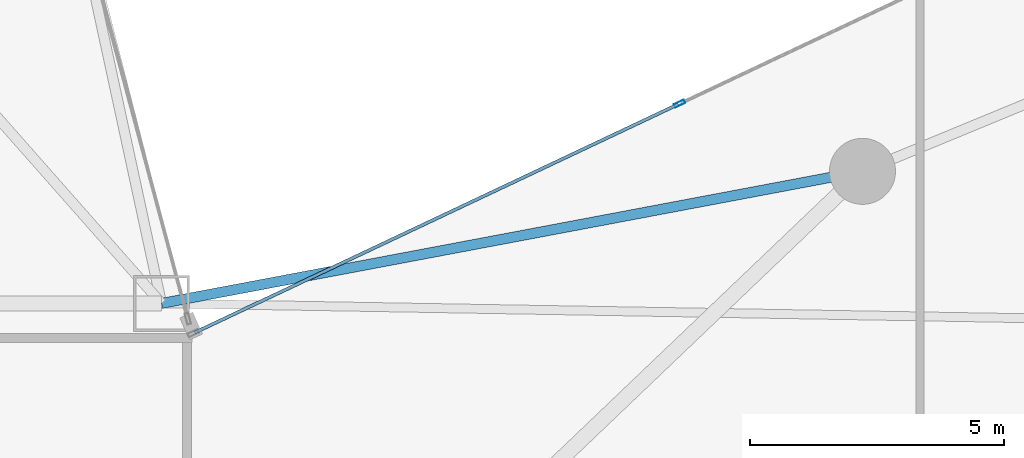
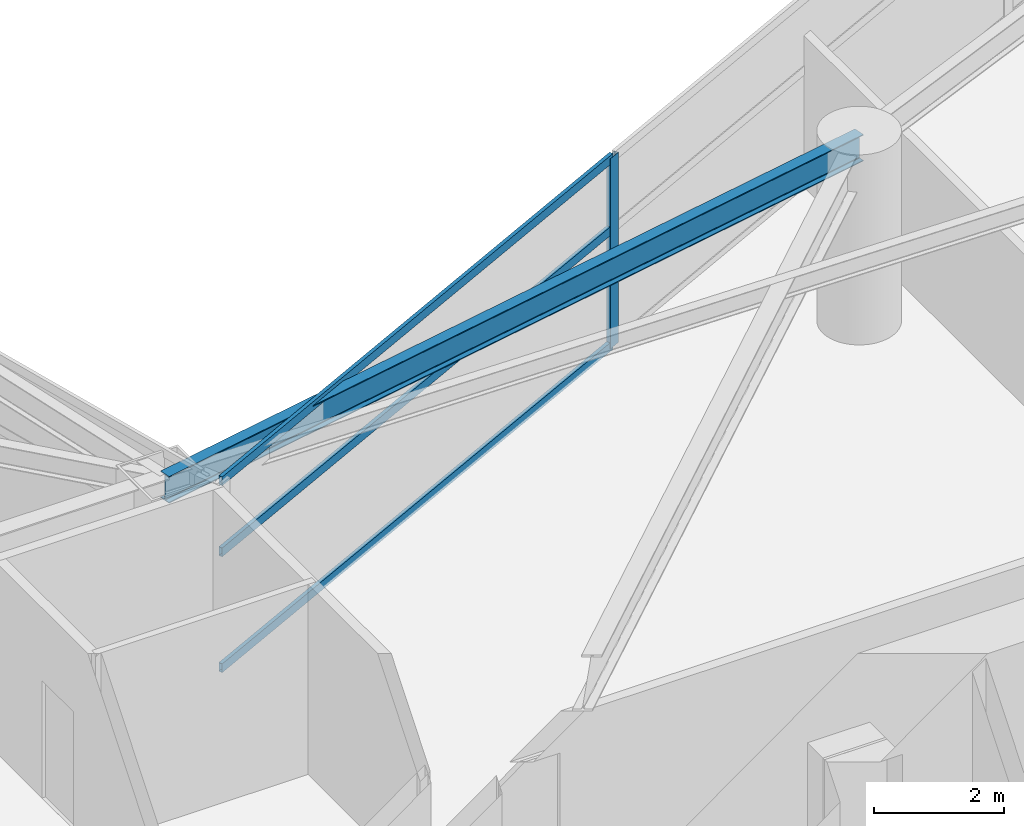
# One storey, part 11 of 29: 4 members, 1 beam, 1 element without a shape of its own.
"""IFC4 building model written with IfcOpenShell, lengths in metres."""

from ifc_helpers import new_model, si_unit, direction, frame, origin, origin_2d, place, context, subcontext, project, spatial, hollow_rectangle, i_section, extrude, material, layer, layer_set, material_profile, profile_set, type_object, element, aggregate, save


model = new_model("IFC4")

# Units and contexts
model_context = context("Model", 3, precision=1e-05, world=origin(), true_north=direction((0.0, 1.0)))
body_context = subcontext(model_context, "Body", "Model", "MODEL_VIEW")
ifc_project = project(units=[si_unit("LENGTHUNIT", "METRE"), si_unit("AREAUNIT", "SQUARE_METRE"), si_unit("VOLUMEUNIT", "CUBIC_METRE"), si_unit("PLANEANGLEUNIT", "RADIAN"), si_unit("MASSUNIT", "GRAM", prefix="KILO")], contexts=[model_context])

# Site, building, storey
site_placement = place(None, origin())
site = spatial("IfcSite", under=ifc_project, at=site_placement, CompositionType="ELEMENT")
building_placement = place(site_placement, origin())
building = spatial("IfcBuilding", under=site, at=building_placement, Name="Calvorn Quay Hotel", CompositionType="ELEMENT")
storey_placement = place(building_placement, frame((0.0, 0.0, 69.800048828125)))
storey = spatial("IfcBuildingStorey", under=building, at=storey_placement, Name="L16", CompositionType="ELEMENT", Elevation=69.800048828125)

# Beam
ifc_material_1 = material(Name="Steel Q355B", Category="steel")
ifc_material_profile_1 = material_profile(ifc_material_1, i_section(OverallWidth=0.199951171875, OverallDepth=0.5, WebThickness=0.010009765625, FlangeThickness=0.01611328125, FilletRadius=0.01611328125, at=origin_2d()), Name="HN500x200x10x16")
ifc_profile_set_1 = profile_set([ifc_material_profile_1], Name="Steel Q355B")
beam_type = type_object("IfcBeamType", Name="BM-SPANDREL-Z1", PredefinedType="SPANDREL", material=ifc_profile_set_1)
beam_placement = place(storey_placement, frame((34.800048828125, 27.60009765625, 3.2900390625), z_axis=(-0.982709432406, -0.185154452988, 0.0), x_axis=(0.185154452988, -0.982709432406, 0.0)))
element("IfcBeam", 1, at=beam_placement, inside=storey, type_object=beam_type, Name="Beam BSP-L16-E5", PredefinedType="SPANDREL", context=body_context, shape_type="SweptSolid", body=[
    extrude(i_section(OverallWidth=0.199951171875, OverallDepth=0.5, WebThickness=0.010009765625, FlangeThickness=0.01611328125, FilletRadius=0.01611328125, at=origin_2d()), origin(), (0.0, 0.0, 1.0), 14.04296875),
])

# Curtain wall, members
ifc_material_2 = material(Name="Pale Anodised Aluminium and Low-E Glass", Category="aluminium")
ifc_layer = layer(ifc_material_2, 0.219970703125)
ifc_layer_set = layer_set([ifc_layer], Name="CW-SYS-Z1")
curtain_wall_type = type_object("IfcCurtainWallType", Name="CW-SYS-Z1", PredefinedType="NOTDEFINED", material=ifc_layer_set)
curtain_wall_placement = place(storey_placement, origin())
curtain_wall = element("IfcCurtainWall", 2, at=curtain_wall_placement, inside=storey, type_object=curtain_wall_type, Name="Inner Court Curtain Wall L16-NE1", PredefinedType="NOTDEFINED")
ifc_material_3 = material(Name="Pale Anodised Aluminium 6063-T6", Category="aluminium")
ifc_material_profile_2 = material_profile(ifc_material_3, hollow_rectangle(XDim=0.074951171875, YDim=0.219970703125, WallThickness=0.00439453125, at=origin_2d()), Name="ALU-M220x75x4.5")
ifc_profile_set_2 = profile_set([ifc_material_profile_2], Name="Pale Anodised Aluminium 6063-T6")
member_type_1 = type_object("IfcMemberType", Name="CW-SYS-Z1-MUL", PredefinedType="MULLION", material=ifc_profile_set_2)
member_1_placement = place(storey_placement, frame((31.199951171875, 28.933349609375, 0.0), z_axis=(0.0, 0.0, 1.0), x_axis=(0.427006305415, -0.904248646743, 0.0)))
member_1 = element("IfcMember", 3, at=member_1_placement, type_object=member_type_1, Name="CW-L16-NE1 mullion 3", PredefinedType="MULLION", context=body_context, shape_type="SweptSolid", body=[
    extrude(hollow_rectangle(XDim=0.074951171875, YDim=0.219970703125, WallThickness=0.00439453125, at=origin_2d()), origin(), (0.0, 0.0, 1.0), 3.56005859375),
])
ifc_material_4 = material(Name="Pale Anodised Aluminium 6063-T6", Category="aluminium")
ifc_material_profile_3 = material_profile(ifc_material_4, hollow_rectangle(XDim=0.06494140625, YDim=0.1650390625, WallThickness=0.00341796875, at=origin_2d()), Name="ALU-T165x65x3.5")
ifc_profile_set_3 = profile_set([ifc_material_profile_3], Name="Pale Anodised Aluminium 6063-T6")
member_type_2 = type_object("IfcMemberType", Name="CW-SYS-Z1-TRN", PredefinedType="USERDEFINED", material=ifc_profile_set_3)
member_2_placement = place(storey_placement, frame((31.1728515625, 28.92041015625, 0.030029296875), z_axis=(-0.904248646746, -0.427006305408, 0.0), x_axis=(0.427006305408, -0.904248646746, 0.0)))
member_2 = element("IfcMember", 4, at=member_2_placement, type_object=member_type_2, Name="CW-L16-NE1 transom 3.1", ObjectType="TRANSOM", PredefinedType="USERDEFINED", context=body_context, shape_type="SweptSolid", body=[
    extrude(hollow_rectangle(XDim=0.06494140625, YDim=0.1650390625, WallThickness=0.00341796875, at=origin_2d()), origin(), (0.0, 0.0, 1.0), 10.5263671875),
])
member_3_placement = place(storey_placement, frame((31.1728515625, 28.92041015625, 2.199951171875), z_axis=(-0.904248646746, -0.427006305408, 0.0), x_axis=(0.427006305408, -0.904248646746, 0.0)))
member_3 = element("IfcMember", 5, at=member_3_placement, type_object=member_type_2, Name="CW-L16-NE1 transom 3.2", ObjectType="TRANSOM", PredefinedType="USERDEFINED", context=body_context, shape_type="SweptSolid", body=[
    extrude(hollow_rectangle(XDim=0.06494140625, YDim=0.1650390625, WallThickness=0.00341796875, at=origin_2d()), origin(), (0.0, 0.0, 1.0), 10.5263671875),
])
member_4_placement = place(storey_placement, frame((31.1728515625, 28.92041015625, 3.530029296875), z_axis=(-0.904248646746, -0.427006305408, 0.0), x_axis=(0.427006305408, -0.904248646746, 0.0)))
member_4 = element("IfcMember", 6, at=member_4_placement, type_object=member_type_2, Name="CW-L16-NE1 transom 3.3", ObjectType="TRANSOM", PredefinedType="USERDEFINED", context=body_context, shape_type="SweptSolid", body=[
    extrude(hollow_rectangle(XDim=0.06494140625, YDim=0.1650390625, WallThickness=0.00341796875, at=origin_2d()), origin(), (0.0, 0.0, 1.0), 10.5263671875),
])
aggregate(curtain_wall, [member_1, member_2, member_3, member_4])

save(model, "model.ifc")
